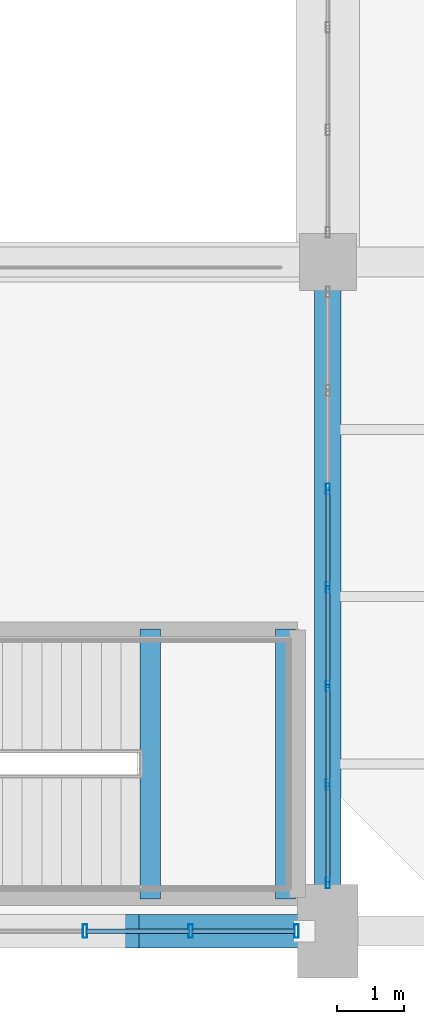
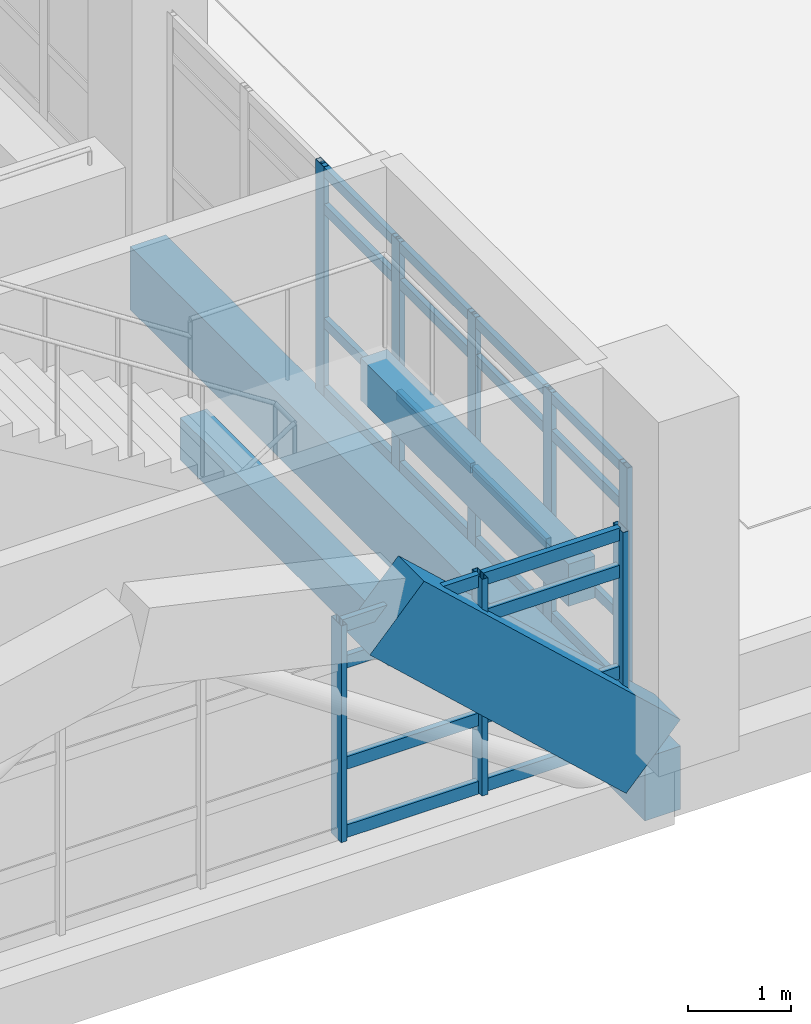
# One storey, part 39 of 161: 32 members, 4 beams, 2 elements without a shape of their own.
"""IFC4 building model written with IfcOpenShell, lengths in metres."""

from ifc_helpers import new_model, si_unit, direction, frame, origin, origin_2d, place, context, subcontext, project, spatial, rectangle, hollow_rectangle, extrude, material, layer, layer_set, material_profile, profile_set, type_object, element, aggregate, save


model = new_model("IFC4")

# Units and contexts
model_context = context("Model", 3, precision=1e-05, world=origin(), true_north=direction((0.0, 1.0)))
body_context = subcontext(model_context, "Body", "Model", "MODEL_VIEW")
ifc_project = project(units=[si_unit("LENGTHUNIT", "METRE"), si_unit("AREAUNIT", "SQUARE_METRE"), si_unit("VOLUMEUNIT", "CUBIC_METRE"), si_unit("PLANEANGLEUNIT", "RADIAN"), si_unit("MASSUNIT", "GRAM", prefix="KILO")], contexts=[model_context])

# Site, building, storey
site_placement = place(None, origin())
site = spatial("IfcSite", under=ifc_project, at=site_placement, CompositionType="ELEMENT")
building_placement = place(site_placement, origin())
building = spatial("IfcBuilding", under=site, at=building_placement, Name="Mersad Railyard Sports Hall", CompositionType="ELEMENT")
storey_placement = place(building_placement, frame((0.0, 0.0, 4.800048828125)))
storey = spatial("IfcBuildingStorey", under=building, at=storey_placement, Name="L01", CompositionType="ELEMENT", Elevation=4.800048828125)

# Curtain wall, members
ifc_material_1 = material(Name="Aluminium 6063-T6", Category="aluminium")
ifc_layer_1 = layer(ifc_material_1, 0.159912109375)
ifc_layer_set_1 = layer_set([ifc_layer_1], Name="Aluminium 6063-T6")
curtain_wall_type_1 = type_object("IfcCurtainWallType", Name="ARC-CW-CW03", PredefinedType="USERDEFINED", material=ifc_layer_set_1)
curtain_wall_1_placement = place(storey_placement, origin())
curtain_wall_1 = element("IfcCurtainWall", 1, at=curtain_wall_1_placement, inside=storey, type_object=curtain_wall_type_1, Name="Curtain wall CW03-0026", ObjectType="CURTAIN WALL", PredefinedType="USERDEFINED")
ifc_material_profile_1 = material_profile(ifc_material_1, hollow_rectangle(XDim=0.06005859375, YDim=0.159912109375, WallThickness=0.00390625, at=origin_2d()), Name="AL MULLION 60x160x4")
ifc_profile_set_1 = profile_set([ifc_material_profile_1], Name="Aluminium 6063-T6")
member_type_1 = type_object("IfcMemberType", Name="ARC-CW-MUL01", PredefinedType="MULLION", material=ifc_profile_set_1)
member_1_placement = place(storey_placement, frame((91.0, 10.110107421875, -0.02001953125), z_axis=(0.0, 0.0, 1.0), x_axis=(1.0, 0.0, 0.0)))
member_1 = element("IfcMember", 2, at=member_1_placement, type_object=member_type_1, Name="CW03 Mullion 3", PredefinedType="MULLION", context=body_context, shape_type="SweptSolid", body=[
    extrude(hollow_rectangle(XDim=0.06005859375, YDim=0.159912109375, WallThickness=0.00390625, at=origin_2d()), origin(), (0.0, 0.0, 1.0), 2.719970703125),
])
member_2_placement = place(storey_placement, frame((91.0, 8.637451171875, -0.02001953125), z_axis=(0.0, 0.0, 1.0), x_axis=(1.0, 0.0, 0.0)))
member_2 = element("IfcMember", 3, at=member_2_placement, type_object=member_type_1, Name="CW03 Mullion 4", PredefinedType="MULLION", context=body_context, shape_type="SweptSolid", body=[
    extrude(hollow_rectangle(XDim=0.06005859375, YDim=0.159912109375, WallThickness=0.00390625, at=origin_2d()), origin(), (0.0, 0.0, 1.0), 2.719970703125),
])
member_3_placement = place(storey_placement, frame((91.0, 7.1650390625, -0.02001953125), z_axis=(0.0, 0.0, 1.0), x_axis=(1.0, 0.0, 0.0)))
member_3 = element("IfcMember", 4, at=member_3_placement, type_object=member_type_1, Name="CW03 Mullion 5", PredefinedType="MULLION", context=body_context, shape_type="SweptSolid", body=[
    extrude(hollow_rectangle(XDim=0.06005859375, YDim=0.159912109375, WallThickness=0.00390625, at=origin_2d()), origin(), (0.0, 0.0, 1.0), 2.719970703125),
])
member_4_placement = place(storey_placement, frame((91.0, 5.6923828125, -0.02001953125), z_axis=(0.0, 0.0, 1.0), x_axis=(1.0, 0.0, 0.0)))
member_4 = element("IfcMember", 5, at=member_4_placement, type_object=member_type_1, Name="CW03 Mullion 6", PredefinedType="MULLION", context=body_context, shape_type="SweptSolid", body=[
    extrude(hollow_rectangle(XDim=0.06005859375, YDim=0.159912109375, WallThickness=0.00390625, at=origin_2d()), origin(), (0.0, 0.0, 1.0), 2.719970703125),
])
member_5_placement = place(storey_placement, frame((91.0, 4.219970703125, -0.02001953125), z_axis=(0.0, 0.0, 1.0), x_axis=(1.0, 0.0, 0.0)))
member_5 = element("IfcMember", 6, at=member_5_placement, type_object=member_type_1, Name="CW03 Mullion 7", PredefinedType="MULLION", context=body_context, shape_type="SweptSolid", body=[
    extrude(hollow_rectangle(XDim=0.06005859375, YDim=0.159912109375, WallThickness=0.00390625, at=origin_2d()), origin(), (0.0, 0.0, 1.0), 2.719970703125),
])

ifc_layer_2 = layer(ifc_material_1, 0.199951171875)
ifc_layer_set_2 = layer_set([ifc_layer_2], Name="Aluminium 6063-T6")
curtain_wall_type_2 = type_object("IfcCurtainWallType", Name="ARC-CW-CW02", PredefinedType="USERDEFINED", material=ifc_layer_set_2)
curtain_wall_2_placement = place(storey_placement, origin())
curtain_wall_2 = element("IfcCurtainWall", 7, at=curtain_wall_2_placement, inside=storey, type_object=curtain_wall_type_2, Name="Curtain wall CW02-0020", ObjectType="CURTAIN WALL", PredefinedType="USERDEFINED")
ifc_material_profile_2 = material_profile(ifc_material_1, hollow_rectangle(XDim=0.06494140625, YDim=0.199951171875, WallThickness=0.0048828125, at=origin_2d()), Name="AL MULLION 65x200x5")
ifc_profile_set_2 = profile_set([ifc_material_profile_2], Name="Aluminium 6063-T6")
member_type_2 = type_object("IfcMemberType", Name="ARC-CW-MUL02", PredefinedType="MULLION", material=ifc_profile_set_2)
member_6_placement = place(storey_placement, frame((90.530029296875, 3.5, -0.02001953125), z_axis=(0.0, 0.0, 1.0), x_axis=(1.0, 0.0, 0.0)))
member_6 = element("IfcMember", 8, at=member_6_placement, type_object=member_type_2, Name="CW02 Mullion 1", PredefinedType="MULLION", context=body_context, shape_type="SweptSolid", body=[
    extrude(hollow_rectangle(XDim=0.06494140625, YDim=0.199951171875, WallThickness=0.0048828125, at=origin_2d()), origin(), (0.0, 0.0, 1.0), 2.570068359375),
])
member_7_placement = place(storey_placement, frame((88.949951171875, 3.5, -0.02001953125), z_axis=(0.0, 0.0, 1.0), x_axis=(1.0, 0.0, 0.0)))
member_7 = element("IfcMember", 9, at=member_7_placement, type_object=member_type_2, Name="CW02 Mullion 2", PredefinedType="MULLION", context=body_context, shape_type="SweptSolid", body=[
    extrude(hollow_rectangle(XDim=0.06494140625, YDim=0.199951171875, WallThickness=0.0048828125, at=origin_2d()), origin(), (0.0, 0.0, 1.0), 2.570068359375),
])
member_8_placement = place(storey_placement, frame((87.3701171875, 3.5, -0.02001953125), z_axis=(0.0, 0.0, 1.0), x_axis=(1.0, 0.0, 0.0)))
member_8 = element("IfcMember", 10, at=member_8_placement, type_object=member_type_2, Name="CW02 Mullion 3", PredefinedType="MULLION", context=body_context, shape_type="SweptSolid", body=[
    extrude(hollow_rectangle(XDim=0.06494140625, YDim=0.199951171875, WallThickness=0.0048828125, at=origin_2d()), origin(), (0.0, 0.0, 1.0), 2.570068359375),
])

# Member
ifc_material_profile_3 = material_profile(ifc_material_1, hollow_rectangle(XDim=0.06005859375, YDim=0.1201171875, WallThickness=0.00390625, at=origin_2d()), Name="AL TRANSOM 60x120x4")
ifc_profile_set_3 = profile_set([ifc_material_profile_3], Name="Aluminium 6063-T6")
member_type_3 = type_object("IfcMemberType", Name="ARC-CW-TRN01", PredefinedType="USERDEFINED", material=ifc_profile_set_3)
member_9_placement = place(storey_placement, frame((91.0, 10.090087890625, 0.0400390625), z_axis=(0.0, -1.0, 0.0), x_axis=(1.0, 0.0, 0.0)))
member_9 = element("IfcMember", 11, at=member_9_placement, type_object=member_type_3, Name="CW03 Transom 1-3", ObjectType="TRANSOM", PredefinedType="USERDEFINED", context=body_context, shape_type="SweptSolid", body=[
    extrude(hollow_rectangle(XDim=0.06005859375, YDim=0.1201171875, WallThickness=0.00390625, at=origin_2d()), origin(), (0.0, 0.0, 1.0), 1.4326171875),
])

member_10_placement = place(storey_placement, frame((91.0, 8.617431640625, 0.0400390625), z_axis=(0.0, -1.0, 0.0), x_axis=(1.0, 0.0, 0.0)))
member_10 = element("IfcMember", 12, at=member_10_placement, type_object=member_type_3, Name="CW03 Transom 1-4", ObjectType="TRANSOM", PredefinedType="USERDEFINED", context=body_context, shape_type="SweptSolid", body=[
    extrude(hollow_rectangle(XDim=0.06005859375, YDim=0.1201171875, WallThickness=0.00390625, at=origin_2d()), origin(), (0.0, 0.0, 1.0), 1.432373046875),
])

member_11_placement = place(storey_placement, frame((91.0, 7.14501953125, 0.0400390625), z_axis=(0.0, -1.0, 0.0), x_axis=(1.0, 0.0, 0.0)))
member_11 = element("IfcMember", 13, at=member_11_placement, type_object=member_type_3, Name="CW03 Transom 1-5", ObjectType="TRANSOM", PredefinedType="USERDEFINED", context=body_context, shape_type="SweptSolid", body=[
    extrude(hollow_rectangle(XDim=0.06005859375, YDim=0.1201171875, WallThickness=0.00390625, at=origin_2d()), origin(), (0.0, 0.0, 1.0), 1.4326171875),
])

member_12_placement = place(storey_placement, frame((91.0, 5.672607421875, 0.0400390625), z_axis=(0.0, -1.0, 0.0), x_axis=(1.0, 0.0, 0.0)))
member_12 = element("IfcMember", 14, at=member_12_placement, type_object=member_type_3, Name="CW03 Transom 1-6", ObjectType="TRANSOM", PredefinedType="USERDEFINED", context=body_context, shape_type="SweptSolid", body=[
    extrude(hollow_rectangle(XDim=0.06005859375, YDim=0.1201171875, WallThickness=0.00390625, at=origin_2d()), origin(), (0.0, 0.0, 1.0), 1.4326171875),
])

member_13_placement = place(storey_placement, frame((91.0, 10.090087890625, 0.849853515625), z_axis=(0.0, -1.0, 0.0), x_axis=(1.0, 0.0, 0.0)))
member_13 = element("IfcMember", 15, at=member_13_placement, type_object=member_type_3, Name="CW03 Transom 2-3", ObjectType="TRANSOM", PredefinedType="USERDEFINED", context=body_context, shape_type="SweptSolid", body=[
    extrude(hollow_rectangle(XDim=0.06005859375, YDim=0.1201171875, WallThickness=0.00390625, at=origin_2d()), origin(), (0.0, 0.0, 1.0), 1.4326171875),
])

member_14_placement = place(storey_placement, frame((91.0, 8.617431640625, 0.849853515625), z_axis=(0.0, -1.0, 0.0), x_axis=(1.0, 0.0, 0.0)))
member_14 = element("IfcMember", 16, at=member_14_placement, type_object=member_type_3, Name="CW03 Transom 2-4", ObjectType="TRANSOM", PredefinedType="USERDEFINED", context=body_context, shape_type="SweptSolid", body=[
    extrude(hollow_rectangle(XDim=0.06005859375, YDim=0.1201171875, WallThickness=0.00390625, at=origin_2d()), origin(), (0.0, 0.0, 1.0), 1.432373046875),
])

member_15_placement = place(storey_placement, frame((91.0, 7.14501953125, 0.849853515625), z_axis=(0.0, -1.0, 0.0), x_axis=(1.0, 0.0, 0.0)))
member_15 = element("IfcMember", 17, at=member_15_placement, type_object=member_type_3, Name="CW03 Transom 2-5", ObjectType="TRANSOM", PredefinedType="USERDEFINED", context=body_context, shape_type="SweptSolid", body=[
    extrude(hollow_rectangle(XDim=0.06005859375, YDim=0.1201171875, WallThickness=0.00390625, at=origin_2d()), origin(), (0.0, 0.0, 1.0), 1.4326171875),
])

member_16_placement = place(storey_placement, frame((91.0, 5.672607421875, 0.849853515625), z_axis=(0.0, -1.0, 0.0), x_axis=(1.0, 0.0, 0.0)))
member_16 = element("IfcMember", 18, at=member_16_placement, type_object=member_type_3, Name="CW03 Transom 2-6", ObjectType="TRANSOM", PredefinedType="USERDEFINED", context=body_context, shape_type="SweptSolid", body=[
    extrude(hollow_rectangle(XDim=0.06005859375, YDim=0.1201171875, WallThickness=0.00390625, at=origin_2d()), origin(), (0.0, 0.0, 1.0), 1.4326171875),
])

member_17_placement = place(storey_placement, frame((91.0, 10.090087890625, 2.199951171875), z_axis=(0.0, -1.0, 0.0), x_axis=(1.0, 0.0, 0.0)))
member_17 = element("IfcMember", 19, at=member_17_placement, type_object=member_type_3, Name="CW03 Transom 3-3", ObjectType="TRANSOM", PredefinedType="USERDEFINED", context=body_context, shape_type="SweptSolid", body=[
    extrude(hollow_rectangle(XDim=0.06005859375, YDim=0.1201171875, WallThickness=0.00390625, at=origin_2d()), origin(), (0.0, 0.0, 1.0), 1.4326171875),
])

member_18_placement = place(storey_placement, frame((91.0, 8.617431640625, 2.199951171875), z_axis=(0.0, -1.0, 0.0), x_axis=(1.0, 0.0, 0.0)))
member_18 = element("IfcMember", 20, at=member_18_placement, type_object=member_type_3, Name="CW03 Transom 3-4", ObjectType="TRANSOM", PredefinedType="USERDEFINED", context=body_context, shape_type="SweptSolid", body=[
    extrude(hollow_rectangle(XDim=0.06005859375, YDim=0.1201171875, WallThickness=0.00390625, at=origin_2d()), origin(), (0.0, 0.0, 1.0), 1.432373046875),
])

member_19_placement = place(storey_placement, frame((91.0, 7.14501953125, 2.199951171875), z_axis=(0.0, -1.0, 0.0), x_axis=(1.0, 0.0, 0.0)))
member_19 = element("IfcMember", 21, at=member_19_placement, type_object=member_type_3, Name="CW03 Transom 3-5", ObjectType="TRANSOM", PredefinedType="USERDEFINED", context=body_context, shape_type="SweptSolid", body=[
    extrude(hollow_rectangle(XDim=0.06005859375, YDim=0.1201171875, WallThickness=0.00390625, at=origin_2d()), origin(), (0.0, 0.0, 1.0), 1.4326171875),
])

member_20_placement = place(storey_placement, frame((91.0, 5.672607421875, 2.199951171875), z_axis=(0.0, -1.0, 0.0), x_axis=(1.0, 0.0, 0.0)))
member_20 = element("IfcMember", 22, at=member_20_placement, type_object=member_type_3, Name="CW03 Transom 3-6", ObjectType="TRANSOM", PredefinedType="USERDEFINED", context=body_context, shape_type="SweptSolid", body=[
    extrude(hollow_rectangle(XDim=0.06005859375, YDim=0.1201171875, WallThickness=0.00390625, at=origin_2d()), origin(), (0.0, 0.0, 1.0), 1.4326171875),
])

member_21_placement = place(storey_placement, frame((91.0, 10.090087890625, 2.639892578125), z_axis=(0.0, -1.0, 0.0), x_axis=(1.0, 0.0, 0.0)))
member_21 = element("IfcMember", 23, at=member_21_placement, type_object=member_type_3, Name="CW03 Transom 4-3", ObjectType="TRANSOM", PredefinedType="USERDEFINED", context=body_context, shape_type="SweptSolid", body=[
    extrude(hollow_rectangle(XDim=0.06005859375, YDim=0.1201171875, WallThickness=0.00390625, at=origin_2d()), origin(), (0.0, 0.0, 1.0), 1.4326171875),
])

member_22_placement = place(storey_placement, frame((91.0, 8.617431640625, 2.639892578125), z_axis=(0.0, -1.0, 0.0), x_axis=(1.0, 0.0, 0.0)))
member_22 = element("IfcMember", 24, at=member_22_placement, type_object=member_type_3, Name="CW03 Transom 4-4", ObjectType="TRANSOM", PredefinedType="USERDEFINED", context=body_context, shape_type="SweptSolid", body=[
    extrude(hollow_rectangle(XDim=0.06005859375, YDim=0.1201171875, WallThickness=0.00390625, at=origin_2d()), origin(), (0.0, 0.0, 1.0), 1.432373046875),
])

member_23_placement = place(storey_placement, frame((91.0, 7.14501953125, 2.639892578125), z_axis=(0.0, -1.0, 0.0), x_axis=(1.0, 0.0, 0.0)))
member_23 = element("IfcMember", 25, at=member_23_placement, type_object=member_type_3, Name="CW03 Transom 4-5", ObjectType="TRANSOM", PredefinedType="USERDEFINED", context=body_context, shape_type="SweptSolid", body=[
    extrude(hollow_rectangle(XDim=0.06005859375, YDim=0.1201171875, WallThickness=0.00390625, at=origin_2d()), origin(), (0.0, 0.0, 1.0), 1.4326171875),
])

member_24_placement = place(storey_placement, frame((91.0, 5.672607421875, 2.639892578125), z_axis=(0.0, -1.0, 0.0), x_axis=(1.0, 0.0, 0.0)))
member_24 = element("IfcMember", 26, at=member_24_placement, type_object=member_type_3, Name="CW03 Transom 4-6", ObjectType="TRANSOM", PredefinedType="USERDEFINED", context=body_context, shape_type="SweptSolid", body=[
    extrude(hollow_rectangle(XDim=0.06005859375, YDim=0.1201171875, WallThickness=0.00390625, at=origin_2d()), origin(), (0.0, 0.0, 1.0), 1.4326171875),
])

aggregate(curtain_wall_1, [member_1, member_2, member_3, member_4, member_5, member_9, member_10, member_11, member_12, member_13, member_14, member_15, member_16, member_17, member_18, member_19, member_20, member_21, member_22, member_23, member_24])

ifc_material_profile_4 = material_profile(ifc_material_1, hollow_rectangle(XDim=0.06494140625, YDim=0.14990234375, WallThickness=0.00439453125, at=origin_2d()), Name="AL TRANSOM 65x150x4.5")
ifc_profile_set_4 = profile_set([ifc_material_profile_4], Name="Aluminium 6063-T6")
member_type_4 = type_object("IfcMemberType", Name="ARC-CW-TRN02", PredefinedType="USERDEFINED", material=ifc_profile_set_4)
member_25_placement = place(storey_placement, frame((90.510009765625, 3.5, 0.0400390625), z_axis=(-1.0, 0.0, 0.0), x_axis=(0.0, -1.0, 0.0)))
member_25 = element("IfcMember", 27, at=member_25_placement, type_object=member_type_4, Name="CW02 Transom 1-1", ObjectType="TRANSOM", PredefinedType="USERDEFINED", context=body_context, shape_type="SweptSolid", body=[
    extrude(hollow_rectangle(XDim=0.06494140625, YDim=0.14990234375, WallThickness=0.00439453125, at=origin_2d()), origin(), (0.0, 0.0, 1.0), 1.5400390625),
])

member_26_placement = place(storey_placement, frame((88.929931640625, 3.5, 0.0400390625), z_axis=(-1.0, 0.0, 0.0), x_axis=(0.0, -1.0, 0.0)))
member_26 = element("IfcMember", 28, at=member_26_placement, type_object=member_type_4, Name="CW02 Transom 1-2", ObjectType="TRANSOM", PredefinedType="USERDEFINED", context=body_context, shape_type="SweptSolid", body=[
    extrude(hollow_rectangle(XDim=0.06494140625, YDim=0.14990234375, WallThickness=0.00439453125, at=origin_2d()), origin(), (0.0, 0.0, 1.0), 1.5400390625),
])

member_27_placement = place(storey_placement, frame((90.510009765625, 3.5, 0.849853515625), z_axis=(-1.0, 0.0, 0.0), x_axis=(0.0, -1.0, 0.0)))
member_27 = element("IfcMember", 29, at=member_27_placement, type_object=member_type_4, Name="CW02 Transom 2-1", ObjectType="TRANSOM", PredefinedType="USERDEFINED", context=body_context, shape_type="SweptSolid", body=[
    extrude(hollow_rectangle(XDim=0.06494140625, YDim=0.14990234375, WallThickness=0.00439453125, at=origin_2d()), origin(), (0.0, 0.0, 1.0), 1.5400390625),
])

member_28_placement = place(storey_placement, frame((88.929931640625, 3.5, 0.849853515625), z_axis=(-1.0, 0.0, 0.0), x_axis=(0.0, -1.0, 0.0)))
member_28 = element("IfcMember", 30, at=member_28_placement, type_object=member_type_4, Name="CW02 Transom 2-2", ObjectType="TRANSOM", PredefinedType="USERDEFINED", context=body_context, shape_type="SweptSolid", body=[
    extrude(hollow_rectangle(XDim=0.06494140625, YDim=0.14990234375, WallThickness=0.00439453125, at=origin_2d()), origin(), (0.0, 0.0, 1.0), 1.5400390625),
])

member_29_placement = place(storey_placement, frame((90.510009765625, 3.5, 2.050048828125), z_axis=(-1.0, 0.0, 0.0), x_axis=(0.0, -1.0, 0.0)))
member_29 = element("IfcMember", 31, at=member_29_placement, type_object=member_type_4, Name="CW02 Transom 3-1", ObjectType="TRANSOM", PredefinedType="USERDEFINED", context=body_context, shape_type="SweptSolid", body=[
    extrude(hollow_rectangle(XDim=0.06494140625, YDim=0.14990234375, WallThickness=0.00439453125, at=origin_2d()), origin(), (0.0, 0.0, 1.0), 1.5400390625),
])

member_30_placement = place(storey_placement, frame((88.929931640625, 3.5, 2.050048828125), z_axis=(-1.0, 0.0, 0.0), x_axis=(0.0, -1.0, 0.0)))
member_30 = element("IfcMember", 32, at=member_30_placement, type_object=member_type_4, Name="CW02 Transom 3-2", ObjectType="TRANSOM", PredefinedType="USERDEFINED", context=body_context, shape_type="SweptSolid", body=[
    extrude(hollow_rectangle(XDim=0.06494140625, YDim=0.14990234375, WallThickness=0.00439453125, at=origin_2d()), origin(), (0.0, 0.0, 1.0), 1.5400390625),
])

member_31_placement = place(storey_placement, frame((90.510009765625, 3.5, 2.489990234375), z_axis=(-1.0, 0.0, 0.0), x_axis=(0.0, -1.0, 0.0)))
member_31 = element("IfcMember", 33, at=member_31_placement, type_object=member_type_4, Name="CW02 Transom 4-1", ObjectType="TRANSOM", PredefinedType="USERDEFINED", context=body_context, shape_type="SweptSolid", body=[
    extrude(hollow_rectangle(XDim=0.06494140625, YDim=0.14990234375, WallThickness=0.00439453125, at=origin_2d()), origin(), (0.0, 0.0, 1.0), 1.5400390625),
])

member_32_placement = place(storey_placement, frame((88.929931640625, 3.5, 2.489990234375), z_axis=(-1.0, 0.0, 0.0), x_axis=(0.0, -1.0, 0.0)))
member_32 = element("IfcMember", 34, at=member_32_placement, type_object=member_type_4, Name="CW02 Transom 4-2", ObjectType="TRANSOM", PredefinedType="USERDEFINED", context=body_context, shape_type="SweptSolid", body=[
    extrude(hollow_rectangle(XDim=0.06494140625, YDim=0.14990234375, WallThickness=0.00439453125, at=origin_2d()), origin(), (0.0, 0.0, 1.0), 1.5400390625),
])

aggregate(curtain_wall_2, [member_6, member_7, member_8, member_25, member_26, member_27, member_28, member_29, member_30, member_31, member_32])

# Beams
ifc_material_2 = material(Name="Concrete C40/50", Category="concrete")
ifc_material_profile_5 = material_profile(ifc_material_2, rectangle(XDim=0.39990234375, YDim=0.75, at=origin_2d()), Name="RC 400x750")
ifc_profile_set_5 = profile_set([ifc_material_profile_5], Name="Concrete C40/50")
beam_type_1 = type_object("IfcBeamType", Name="STR-BM-B01", PredefinedType="BEAM", material=ifc_profile_set_5)
beam_1_placement = place(storey_placement, frame((91.0, 3.5, -0.66015625), z_axis=(0.0, 1.0, 0.0), x_axis=(-1.0, 0.0, 0.0)))
element("IfcBeam", 35, at=beam_1_placement, inside=storey, type_object=beam_type_1, Name="Beam B01-0322", PredefinedType="BEAM", context=body_context, shape_type="SweptSolid", body=[
    extrude(rectangle(XDim=0.39990234375, YDim=0.75, at=origin_2d()), origin(), (0.0, 0.0, 1.0), 10.0),
])
ifc_material_profile_6 = material_profile(ifc_material_2, rectangle(XDim=0.300048828125, YDim=0.5, at=origin_2d()), Name="RC 300x500")
ifc_profile_set_6 = profile_set([ifc_material_profile_6], Name="Concrete C40/50")
beam_type_2 = type_object("IfcBeamType", Name="STR-BM-LN01", PredefinedType="LINTEL", material=ifc_profile_set_6)
for number, where, z_axis, x_axis, name in (
    (36, (88.345947265625, 3.97998046875, 1.669921875), (0.0, 1.0, 0.0), (-1.0, 0.0, 0.0), "Stair ST06B landing beam W"),
    (37, (90.3701171875, 3.97998046875, 1.669921875), (0.0, 1.0, 0.0), (-1.0, 0.0, 0.0), "Stair ST06B landing beam E"),
):
    element("IfcBeam", number, at=place(storey_placement, frame(where, z_axis=z_axis, x_axis=x_axis)), inside=storey, type_object=beam_type_2, Name=name, PredefinedType="LINTEL", context=body_context, shape_type="SweptSolid", body=[
        extrude(rectangle(XDim=0.300048828125, YDim=0.5, at=origin_2d()), origin(), (0.0, 0.0, 1.0), 4.0400390625),
    ])
ifc_material_3 = material(Name="Architectural concrete C50/60", Category="concrete")
ifc_material_profile_7 = material_profile(ifc_material_3, rectangle(XDim=0.5, YDim=0.89990234375, at=origin_2d()), Name="VR 500x900")
ifc_profile_set_7 = profile_set([ifc_material_profile_7], Name="Architectural concrete C50/60")
beam_type_3 = type_object("IfcBeamType", Name="STR-BM-VR02", PredefinedType="BEAM", material=ifc_profile_set_7)
beam_2_placement = place(storey_placement, frame((87.875, 3.5, 2.54736328125), z_axis=(0.735617187873, 0.0, -0.677397485164), x_axis=(0.0, 1.0, 0.0)))
element("IfcBeam", 38, at=beam_2_placement, inside=storey, type_object=beam_type_3, Name="Beam VR02-0392", PredefinedType="BEAM", context=body_context, shape_type="SweptSolid", body=[
    extrude(rectangle(XDim=0.5, YDim=0.89990234375, at=origin_2d()), origin(), (0.0, 0.0, 1.0), 3.908203125),
])

save(model, "model.ifc")
